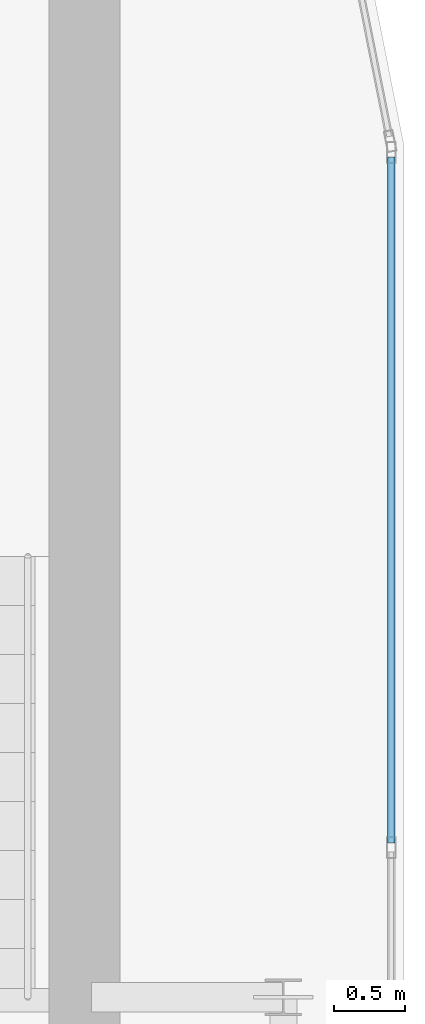
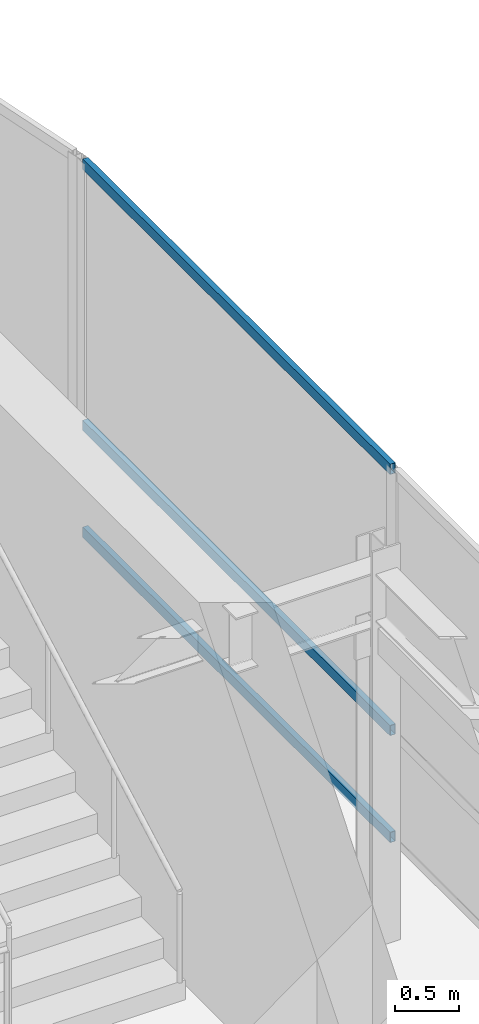
# One storey, part 25 of 36: 3 members, 1 element without a shape of its own.
"""IFC4 building model written with IfcOpenShell, lengths in metres."""

from ifc_helpers import new_model, si_unit, direction, frame, origin, origin_2d, place, context, subcontext, project, spatial, hollow_rectangle, extrude, source, transform, mapped, material, layer, layer_set, material_profile, profile_set, type_object, type_shapes, element, aggregate, save


model = new_model("IFC4")

# Units and contexts
model_context = context("Model", 3, precision=1e-05, world=origin(), true_north=direction((0.0, 1.0)))
body_context = subcontext(model_context, "Body", "Model", "MODEL_VIEW")
ifc_project = project(units=[si_unit("LENGTHUNIT", "METRE"), si_unit("AREAUNIT", "SQUARE_METRE"), si_unit("VOLUMEUNIT", "CUBIC_METRE"), si_unit("PLANEANGLEUNIT", "RADIAN"), si_unit("MASSUNIT", "GRAM", prefix="KILO")], contexts=[model_context])

# Site, building, storey
site_placement = place(None, origin())
site = spatial("IfcSite", under=ifc_project, at=site_placement, CompositionType="ELEMENT")
building_placement = place(site_placement, origin())
building = spatial("IfcBuilding", under=site, at=building_placement, Name="Tolvann Quenvar Hotel", CompositionType="ELEMENT")
storey_placement = place(building_placement, frame((0.0, 0.0, 298.550048828125)))
storey = spatial("IfcBuildingStorey", under=building, at=storey_placement, Name="L79", CompositionType="ELEMENT", Elevation=298.550048828125)

# Curtain wall, members
ifc_material_1 = material(Name="Thermally broken anodised architectural aluminium 6063-T6 and laminated low-E glass", Category="aluminium")
ifc_layer = layer(ifc_material_1, 0.179931640625)
ifc_layer_set = layer_set([ifc_layer], Name="Thermally broken anodised architectural aluminium 6063-T6 and laminated low-E glass")
curtain_wall_type = type_object("IfcCurtainWallType", Name="CW_SYS_LANT_06", PredefinedType="USERDEFINED", material=ifc_layer_set)
curtain_wall_placement = place(storey_placement, origin())
curtain_wall = element("IfcCurtainWall", 1, at=curtain_wall_placement, inside=storey, type_object=curtain_wall_type, Name="Curtain Wall CW-LANT-06 (CWR-L79-E09)", ObjectType="UNITISED CURTAIN WALL", PredefinedType="USERDEFINED")
ifc_material_2 = material(Name="Anodised architectural aluminium 6063-T6 framing", Category="aluminium")
ifc_material_profile = material_profile(ifc_material_2, hollow_rectangle(XDim=0.050048828125, YDim=0.10009765625, WallThickness=0.0029296875, at=origin_2d()), Name="100x50x3RHS")
ifc_profile_set = profile_set([ifc_material_profile], Name="Anodised architectural aluminium 6063-T6 framing")
member_type = type_object("IfcMemberType", Name="CW_TRAN_100x50", PredefinedType="USERDEFINED", material=ifc_profile_set)
shared_shape = source(origin(), body_context, "Body", "SweptSolid", [
    extrude(hollow_rectangle(XDim=0.050048828125, YDim=0.10009765625, WallThickness=0.0029296875, at=origin_2d()), origin(), (0.0, 0.0, 1.0), 4.830078125),
])
type_shapes(member_type, [shared_shape])
member_1_placement = place(storey_placement, frame((37.909912109375, 35.087646484375, 0.02490234375), z_axis=(0.0, 1.0, 0.0), x_axis=(-1.0, 0.0, 0.0)))
member_1 = element("IfcMember", 2, at=member_1_placement, type_object=member_type, Name="CW-LANT-06 transom 6.1", ObjectType="TRANSOM", PredefinedType="USERDEFINED", context=body_context, shape_type="MappedRepresentation", body=[
    mapped(shared_shape, transform((0.0, 0.0, 0.0), x_axis=(1.0, 0.0, 0.0), y_axis=(0.0, 1.0, 0.0), z_axis=(0.0, 0.0, 1.0), scale=1.0)),
])
member_2_placement = place(storey_placement, frame((37.909912109375, 35.087646484375, 1.050048828125), z_axis=(0.0, 1.0, 0.0), x_axis=(-1.0, 0.0, 0.0)))
member_2 = element("IfcMember", 3, at=member_2_placement, type_object=member_type, Name="CW-LANT-06 transom 6.2", ObjectType="TRANSOM", PredefinedType="USERDEFINED", context=body_context, shape_type="MappedRepresentation", body=[
    mapped(shared_shape, transform((0.0, 0.0, 0.0), x_axis=(1.0, 0.0, 0.0), y_axis=(0.0, 1.0, 0.0), z_axis=(0.0, 0.0, 1.0), scale=1.0)),
])
member_3_placement = place(storey_placement, frame((37.909912109375, 35.087646484375, 3.554931640625), z_axis=(0.0, 1.0, 0.0), x_axis=(-1.0, 0.0, 0.0)))
member_3 = element("IfcMember", 4, at=member_3_placement, type_object=member_type, Name="CW-LANT-06 transom 6.3", ObjectType="TRANSOM", PredefinedType="USERDEFINED", context=body_context, shape_type="MappedRepresentation", body=[
    mapped(shared_shape, transform((0.0, 0.0, 0.0), x_axis=(1.0, 0.0, 0.0), y_axis=(0.0, 1.0, 0.0), z_axis=(0.0, 0.0, 1.0), scale=1.0)),
])
aggregate(curtain_wall, [member_1, member_2, member_3])

save(model, "model.ifc")
